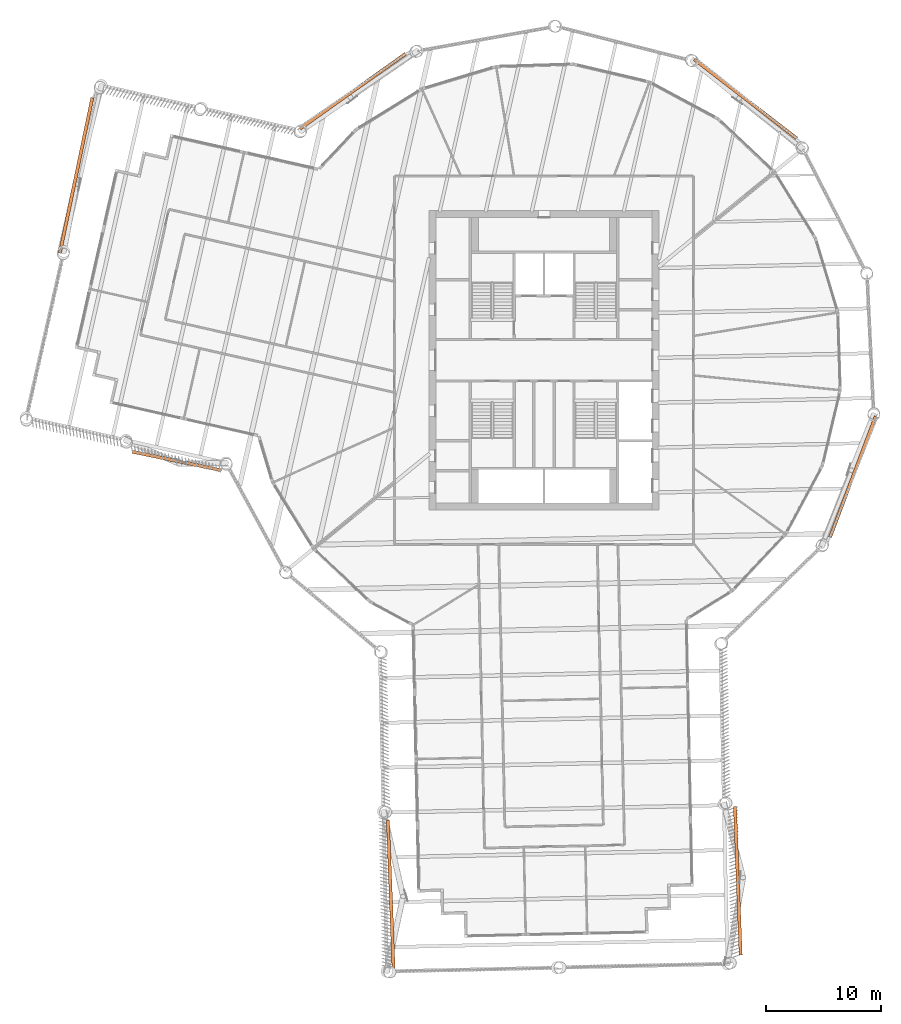
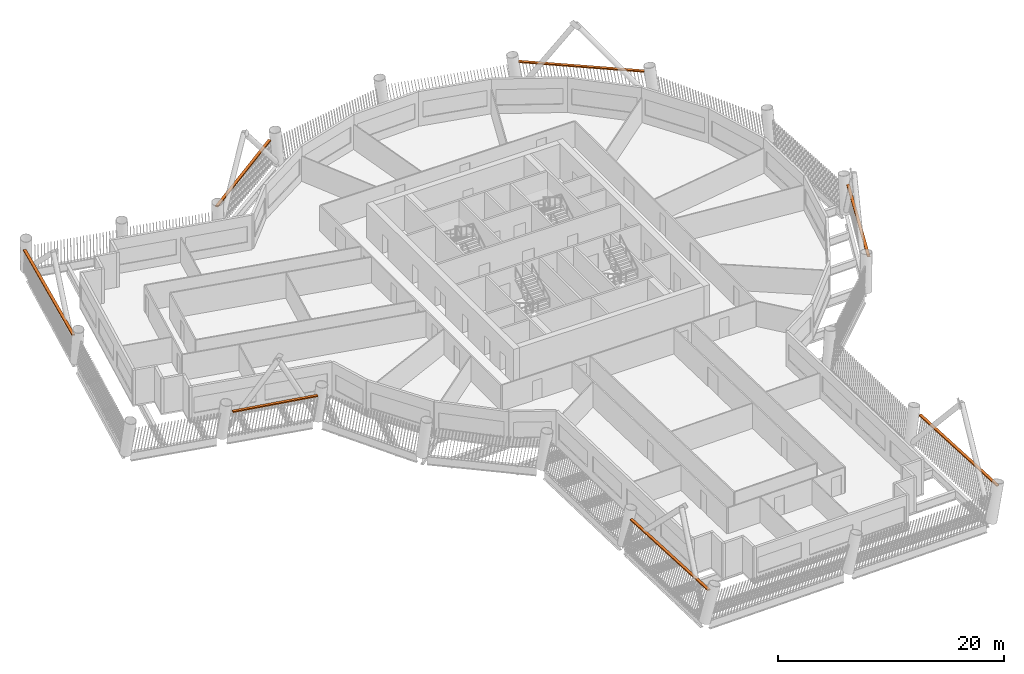
# One storey, part 23 of 23: 7 proxies.
"""IFC4 building model written with IfcOpenShell, lengths in metres."""

from ifc_helpers import new_model, si_unit, direction, frame, origin, origin_2d, place, context, subcontext, project, spatial, rectangle, extrude, material, type_object, element, save


model = new_model("IFC4")

# Units and contexts
model_context = context("Model", 3, precision=1e-05, world=origin(), true_north=direction((0.0, 1.0)))
body_context = subcontext(model_context, "Body", "Model", "MODEL_VIEW")
ifc_project = project(units=[si_unit("LENGTHUNIT", "METRE"), si_unit("AREAUNIT", "SQUARE_METRE"), si_unit("VOLUMEUNIT", "CUBIC_METRE"), si_unit("PLANEANGLEUNIT", "RADIAN"), si_unit("MASSUNIT", "GRAM", prefix="KILO")], contexts=[model_context])

# Site, building, storey
site_placement = place(None, origin())
site = spatial("IfcSite", under=ifc_project, at=site_placement, CompositionType="ELEMENT")
building_placement = place(site_placement, origin())
building = spatial("IfcBuilding", under=site, at=building_placement, Name="Tarsis Ring Headquarters", CompositionType="ELEMENT")
storey_placement = place(building_placement, frame((0.0, 0.0, 231.60009765625)))
storey = spatial("IfcBuildingStorey", under=building, at=storey_placement, Name="L54", CompositionType="ELEMENT", Elevation=231.60009765625)

# Proxies
ifc_material = material(Name="Structural steel S355", Category="steel")
building_element_proxy_type = type_object("IfcBuildingElementProxyType", Name="Screen bracket plate", PredefinedType="USERDEFINED", material=ifc_material)
for number, where, z_axis, x_axis, name in (
    (1, (-13.32373046875, -46.39453125, 2.949951171875), (0.0, 0.0, 1.0), (0.038387774207, -0.999262917751, 0.0), "Screen bracket L54-02"),
    (2, (16.843994140625, -45.235595703125, 2.949951171875), (0.0, 0.0, 1.0), (-0.038387843968, 0.999262915071, 0.0), "Screen bracket L54-05"),
):
    element("IfcBuildingElementProxy", number, at=place(storey_placement, frame(where, z_axis=z_axis, x_axis=x_axis)), inside=storey, type_object=building_element_proxy_type, Name=name, ObjectType="Bracket", PredefinedType="USERDEFINED", context=body_context, shape_type="SweptSolid", body=[
        extrude(rectangle(XDim=12.90234375, YDim=0.280029296875, at=origin_2d()), origin(), (0.0, 0.0, 1.0), 0.1201171875),
    ])
for number, where, z_axis, x_axis, name in (
    (3, (26.84619140625, -10.120849609375, 2.949951171875), (0.0, 0.0, 1.0), (0.35276007738, 0.935713806571, 0.0), "Screen bracket L54-08"),
    (4, (17.516845703125, 22.722412109375, 2.949951171875), (0.0, 0.0, 1.0), (-0.79198337301, 0.610542657703, 0.0), "Screen bracket L54-11"),
    (5, (-16.619384765625, 23.38671875, 2.949951171875), (0.0, 0.0, 1.0), (-0.815140746901, -0.579262947841, 0.0), "Screen bracket L54-14"),
):
    element("IfcBuildingElementProxy", number, at=place(storey_placement, frame(where, z_axis=z_axis, x_axis=x_axis)), inside=storey, type_object=building_element_proxy_type, Name=name, ObjectType="Bracket", PredefinedType="USERDEFINED", context=body_context, shape_type="SweptSolid", body=[
        extrude(rectangle(XDim=11.248779296875, YDim=0.280029296875, at=origin_2d()), origin(), (0.0, 0.0, 1.0), 0.1201171875),
    ])
proxy_1_placement = place(storey_placement, frame((-40.6708984375, 16.056396484375, 2.949951171875), z_axis=(0.0, 0.0, 1.0), x_axis=(-0.204496017673, -0.9788673959, 0.0)))
element("IfcBuildingElementProxy", 6, at=proxy_1_placement, inside=storey, type_object=building_element_proxy_type, Name="Screen bracket L54-17", ObjectType="Bracket", PredefinedType="USERDEFINED", context=body_context, shape_type="SweptSolid", body=[
    extrude(rectangle(XDim=13.800048828125, YDim=0.280029296875, at=origin_2d()), origin(), (0.0, 0.0, 1.0), 0.1201171875),
])
proxy_2_placement = place(storey_placement, frame((-31.9111328125, -8.754150390625, 2.949951171875), z_axis=(0.0, 0.0, 1.0), x_axis=(0.978867381623, -0.204496086011, 0.0)))
element("IfcBuildingElementProxy", 7, at=proxy_2_placement, inside=storey, type_object=building_element_proxy_type, Name="Screen bracket L54-20", ObjectType="Bracket", PredefinedType="USERDEFINED", context=body_context, shape_type="SweptSolid", body=[
    extrude(rectangle(XDim=7.90234375, YDim=0.280029296875, at=origin_2d()), origin(), (0.0, 0.0, 1.0), 0.1201171875),
])

save(model, "model.ifc")
